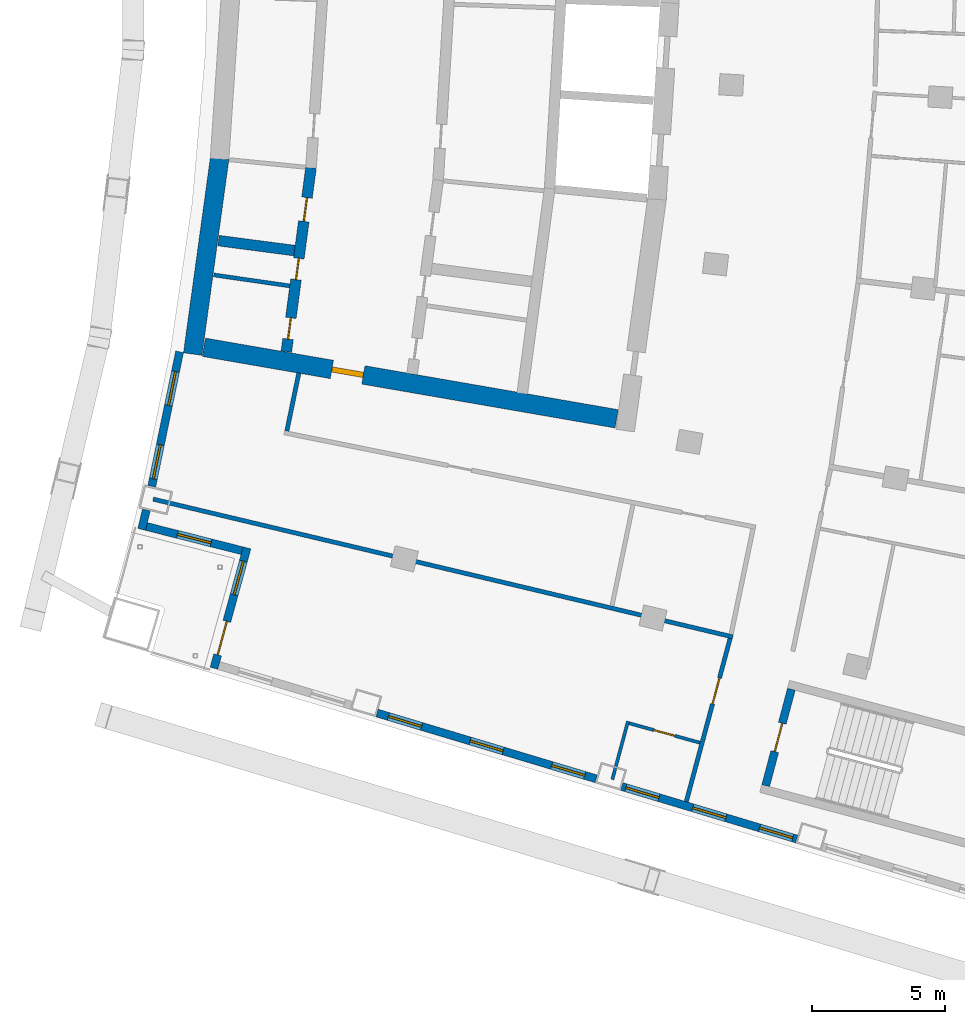
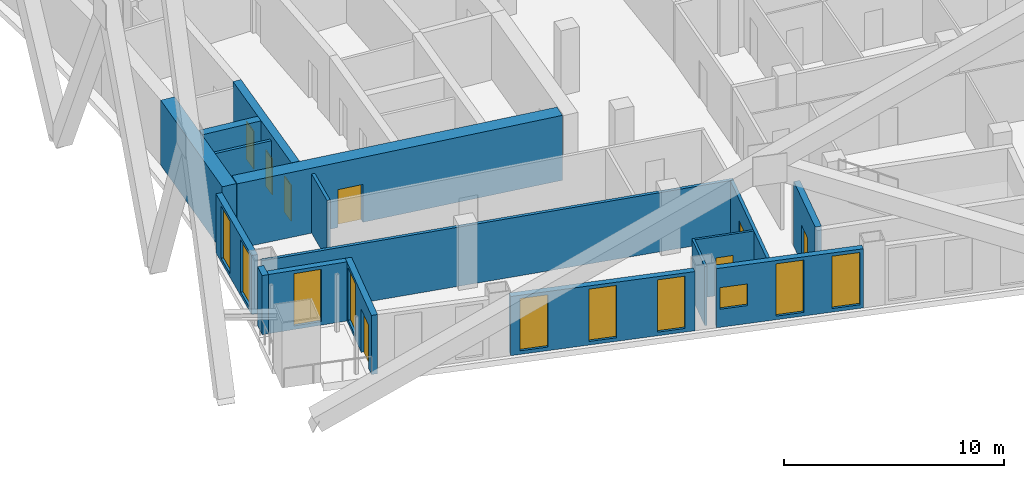
# One storey, part 11 of 22: 17 walls, 10 windows, 8 doors, 18 openings.
"""IFC4 building model written with IfcOpenShell, lengths in metres."""

from ifc_helpers import new_model, si_unit, direction, frame, frame_2d, origin, place, context, subcontext, project, spatial, rectangle, extrude, material, layer, layer_set, type_object, element, fill, save


model = new_model("IFC4")

# Units and contexts
model_context = context("Model", 3, precision=1e-05, world=origin(), true_north=direction((0.0, 1.0)))
body_context = subcontext(model_context, "Body", "Model", "MODEL_VIEW")
ifc_project = project(units=[si_unit("LENGTHUNIT", "METRE"), si_unit("AREAUNIT", "SQUARE_METRE"), si_unit("VOLUMEUNIT", "CUBIC_METRE"), si_unit("PLANEANGLEUNIT", "RADIAN"), si_unit("MASSUNIT", "GRAM", prefix="KILO")], contexts=[model_context])

# Site, building, storey
site_placement = place(None, origin())
site = spatial("IfcSite", under=ifc_project, at=site_placement, CompositionType="ELEMENT")
building_placement = place(site_placement, origin())
building = spatial("IfcBuilding", under=site, at=building_placement, Name="Alderwake Tower", CompositionType="ELEMENT")
storey_placement = place(building_placement, frame((0.0, 0.0, 160.39990234375)))
storey = spatial("IfcBuildingStorey", under=building, at=storey_placement, Name="L39", CompositionType="ELEMENT", Elevation=160.39990234375)

# Walls
ifc_material_1 = material(Name="Gypsum shaft wall system, rated")
ifc_layer_1 = layer(ifc_material_1, 0.14990234375)
ifc_layer_set_1 = layer_set([ifc_layer_1], Name="Core room partition 150")
wall_type_1 = type_object("IfcWallType", Name="Core room partition 150", PredefinedType="PARTITIONING", material=ifc_layer_set_1)
wall_1_placement = place(storey_placement, frame((16.16357421875, 47.110595703125, 0.0), z_axis=(0.0, 0.0, 1.0), x_axis=(0.989731551655, -0.142938642984, 0.0)))
element("IfcWall", 1, at=wall_1_placement, inside=storey, type_object=wall_type_1, Name="CW/L39/PR-150_+0", PredefinedType="PARTITIONING", context=body_context, shape_type="SweptSolid", body=[
    extrude(rectangle(XDim=2.883056640625, YDim=0.14990234375, at=frame_2d((1.44140625, 0.0))), origin(), (0.0, 0.0, 1.0), 3.280029296875),
])
ifc_material_2 = material(Name="Concrete C70/85", Category="concrete")
ifc_layer_2 = layer(ifc_material_2, 0.699951171875)
ifc_layer_set_2 = layer_set([ifc_layer_2], Name="Core wall outer 700 C70-85")
wall_type_2 = type_object("IfcWallType", Name="Core wall outer 700 C70-85", PredefinedType="SHEAR", material=ifc_layer_set_2)
wall_2_placement = place(storey_placement, frame((15.370849609375, 44.1376953125, 0.0), z_axis=(0.0, 0.0, 1.0), x_axis=(0.136315619812, 0.99066545907, 0.0)))
element("IfcWall", 2, at=wall_2_placement, inside=storey, type_object=wall_type_2, Name="Core wall CW.042", PredefinedType="SHEAR", context=body_context, shape_type="SweptSolid", body=[
    extrude(rectangle(XDim=7.420166015625, YDim=0.699951171875, at=frame_2d((3.7099609375, 0.0))), origin(), (0.0, 0.0, 1.0), 3.60009765625),
])

# Wall, opening, door
wall_3_placement = place(storey_placement, frame((31.295654296875, 41.705810546875, 0.0), z_axis=(0.0, 0.0, 1.0), x_axis=(-0.985302589944, 0.170818050129, 0.0)))
wall_3 = element("IfcWall", 3, at=wall_3_placement, inside=storey, type_object=wall_type_2, Name="Core wall CW.072", PredefinedType="SHEAR", context=body_context, shape_type="SweptSolid", body=[
    extrude(rectangle(XDim=15.7373046875, YDim=0.699951171875, at=frame_2d((7.86865234375, 0.0))), origin(), (0.0, 0.0, 1.0), 3.60009765625),
])
opening_1_placement = place(wall_3_placement, frame((9.65576171875, 0.0, 0.0)))
opening_1 = element("IfcOpeningElement", 4, at=opening_1_placement, cuts=wall_3, Name="Opening C003", PredefinedType="OPENING", context=body_context, shape_type="SweptSolid", body=[
    extrude(rectangle(XDim=1.199951171875, YDim=2.10009765625, at=frame_2d((0.60009765625, 1.050048828125))), frame((0.0, 0.35986328125, 0.0), z_axis=(0.0, -1.0, 0.0), x_axis=(1.0, 0.0, 0.0)), (0.0, 0.0, 1.0), 0.719970703125),
])
ifc_material_3 = material(Name="Steel-framed fire door leaf", Category="steel")
door_type_1 = type_object("IfcDoorType", Name="Core lobby exit door 1200 fire-rated", OperationType="SINGLE_SWING_LEFT", PredefinedType="DOOR", material=ifc_material_3)
door_1_placement = place(opening_1_placement, origin())
door_1 = element("IfcDoor", 5, at=door_1_placement, inside=storey, type_object=door_type_1, Name="Lobby door", OperationType="SINGLE_SWING_LEFT", OverallHeight=2.10009765625, OverallWidth=1.199951171875, PredefinedType="DOOR", context=body_context, shape_type="SweptSolid", body=[
    extrude(rectangle(XDim=1.199951171875, YDim=2.10009765625, at=frame_2d((0.60009765625, 1.050048828125))), frame((0.0, 0.10009765625, 0.0), z_axis=(0.0, -1.0, 0.0), x_axis=(1.0, 0.0, 0.0)), (0.0, 0.0, 1.0), 0.199951171875),
])
fill(opening_1, door_1)

# Wall, openings, doors
ifc_material_4 = material(Name="Concrete C70/85", Category="concrete")
ifc_layer_3 = layer(ifc_material_4, 0.39990234375)
ifc_layer_set_3 = layer_set([ifc_layer_3], Name="Core wall spine 400 C70-85")
wall_type_3 = type_object("IfcWallType", Name="Core wall spine 400 C70-85", PredefinedType="SHEAR", material=ifc_layer_set_3)
wall_4_placement = place(storey_placement, frame((19.814697265625, 51.143798828125, 0.0), z_axis=(0.0, 0.0, 1.0), x_axis=(-0.132864871698, -0.991134161387, 0.0)))
wall_4 = element("IfcWall", 6, at=wall_4_placement, inside=storey, type_object=wall_type_3, Name="Core wall CW.033", PredefinedType="SHEAR", context=body_context, shape_type="SweptSolid", body=[
    extrude(rectangle(XDim=6.978759765625, YDim=0.39990234375, at=frame_2d((3.4892578125, 0.0))), origin(), (0.0, 0.0, 1.0), 3.60009765625),
])
opening_2_placement = place(wall_4_placement, frame((5.69677734375, 0.0, 0.0)))
opening_2 = element("IfcOpeningElement", 7, at=opening_2_placement, cuts=wall_4, Name="Opening C008", PredefinedType="OPENING", context=body_context, shape_type="SweptSolid", body=[
    extrude(rectangle(XDim=0.800048828125, YDim=2.0, at=frame_2d((0.39990234375, 1.0))), frame((0.0, 0.2099609375, 0.0), z_axis=(0.0, -1.0, 0.0), x_axis=(1.0, 0.0, 0.0)), (0.0, 0.0, 1.0), 0.419921875),
])
opening_3_placement = place(wall_4_placement, frame((3.443115234375, 0.0, 0.0)))
opening_3 = element("IfcOpeningElement", 8, at=opening_3_placement, cuts=wall_4, Name="Opening C012", PredefinedType="OPENING", context=body_context, shape_type="SweptSolid", body=[
    extrude(rectangle(XDim=0.800048828125, YDim=2.0, at=frame_2d((0.39990234375, 1.0))), frame((0.0, 0.2099609375, 0.0), z_axis=(0.0, -1.0, 0.0), x_axis=(1.0, 0.0, 0.0)), (0.0, 0.0, 1.0), 0.419921875),
])
opening_4_placement = place(wall_4_placement, frame((1.13916015625, 0.0, 0.0)))
opening_4 = element("IfcOpeningElement", 9, at=opening_4_placement, cuts=wall_4, Name="Opening C039", PredefinedType="OPENING", context=body_context, shape_type="SweptSolid", body=[
    extrude(rectangle(XDim=0.89990234375, YDim=2.10009765625, at=frame_2d((0.449951171875, 1.050048828125))), frame((0.0, 0.2099609375, 0.0), z_axis=(0.0, -1.0, 0.0), x_axis=(1.0, 0.0, 0.0)), (0.0, 0.0, 1.0), 0.419921875),
])
ifc_material_5 = material(Name="Painted steel leaf", Category="steel")
door_type_2 = type_object("IfcDoorType", Name="Core room door 900", OperationType="SINGLE_SWING_LEFT", PredefinedType="DOOR", material=ifc_material_5)
door_2_placement = place(opening_4_placement, origin())
door_2 = element("IfcDoor", 10, at=door_2_placement, inside=storey, type_object=door_type_2, Name="Room door", OperationType="SINGLE_SWING_LEFT", OverallHeight=2.10009765625, OverallWidth=0.89990234375, PredefinedType="DOOR", context=body_context, shape_type="SweptSolid", body=[
    extrude(rectangle(XDim=0.89990234375, YDim=2.10009765625, at=frame_2d((0.449951171875, 1.050048828125))), frame((0.0, 0.02490234375, 0.0), z_axis=(0.0, -1.0, 0.0), x_axis=(1.0, 0.0, 0.0)), (0.0, 0.0, 1.0), 0.050048828125),
])
fill(opening_4, door_2)
ifc_material_6 = material(Name="Painted steel leaf, rated", Category="steel")
door_type_3 = type_object("IfcDoorType", Name="Riser access door 800", OperationType="SINGLE_SWING_LEFT", PredefinedType="DOOR", material=ifc_material_6)
door_3_placement = place(opening_2_placement, origin())
door_3 = element("IfcDoor", 11, at=door_3_placement, inside=storey, type_object=door_type_3, Name="Riser access door", OperationType="SINGLE_SWING_LEFT", OverallHeight=2.0, OverallWidth=0.800048828125, PredefinedType="DOOR", context=body_context, shape_type="SweptSolid", body=[
    extrude(rectangle(XDim=0.800048828125, YDim=2.0, at=frame_2d((0.39990234375, 1.0))), frame((0.0, 0.02490234375, 0.0), z_axis=(0.0, -1.0, 0.0), x_axis=(1.0, 0.0, 0.0)), (0.0, 0.0, 1.0), 0.050048828125),
])
fill(opening_2, door_3)
door_4_placement = place(opening_3_placement, origin())
door_4 = element("IfcDoor", 12, at=door_4_placement, inside=storey, type_object=door_type_3, Name="Riser access door", OperationType="SINGLE_SWING_RIGHT", OverallHeight=2.0, OverallWidth=0.800048828125, PredefinedType="DOOR", context=body_context, shape_type="SweptSolid", body=[
    extrude(rectangle(XDim=0.800048828125, YDim=2.0, at=frame_2d((0.39990234375, 1.0))), frame((0.0, 0.02490234375, 0.0), z_axis=(0.0, -1.0, 0.0), x_axis=(1.0, 0.0, 0.0)), (0.0, 0.0, 1.0), 0.050048828125),
])
fill(opening_3, door_4)

# Wall
wall_5_placement = place(storey_placement, frame((16.3408203125, 48.3994140625, 0.0), z_axis=(0.0, 0.0, 1.0), x_axis=(0.991544987266, -0.129763393253, 0.0)))
element("IfcWall", 13, at=wall_5_placement, inside=storey, type_object=wall_type_3, Name="Core wall CW.067", PredefinedType="SHEAR", context=body_context, shape_type="SweptSolid", body=[
    extrude(rectangle(XDim=2.878662109375, YDim=0.39990234375, at=frame_2d((1.439453125, 0.0))), origin(), (0.0, 0.0, 1.0), 3.60009765625),
])

# Wall, opening, door
ifc_material_7 = material(Name="Concrete C70/85", Category="concrete")
ifc_layer_4 = layer(ifc_material_7, 0.300048828125)
ifc_layer_set_4 = layer_set([ifc_layer_4], Name="Core wall stair enclosure 300 C70-85")
wall_type_4 = type_object("IfcWallType", Name="Core wall stair enclosure 300 C70-85", PredefinedType="SHEAR", material=ifc_layer_set_4)
wall_6_placement = place(storey_placement, frame((36.89501953125, 27.923828125, 0.0), z_axis=(0.0, 0.0, 1.0), x_axis=(0.257350630826, 0.966318090907, 0.0)))
wall_6 = element("IfcWall", 14, at=wall_6_placement, inside=storey, type_object=wall_type_4, Name="Core wall CW.087", PredefinedType="SHEAR", context=body_context, shape_type="SweptSolid", body=[
    extrude(rectangle(XDim=3.75, YDim=0.300048828125, at=frame_2d((1.875, 0.0))), origin(), (0.0, 0.0, 1.0), 3.60009765625),
])
opening_5_placement = place(wall_6_placement, frame((1.324951171875, 0.0, 0.0)))
opening_5 = element("IfcOpeningElement", 15, at=opening_5_placement, cuts=wall_6, Name="Opening C065", PredefinedType="OPENING", context=body_context, shape_type="SweptSolid", body=[
    extrude(rectangle(XDim=1.10009765625, YDim=2.10009765625, at=frame_2d((0.550048828125, 1.050048828125))), frame((0.0, 0.159912109375, 0.0), z_axis=(0.0, -1.0, 0.0), x_axis=(1.0, 0.0, 0.0)), (0.0, 0.0, 1.0), 0.320068359375),
])
ifc_material_8 = material(Name="Steel-framed fire door leaf", Category="steel")
door_type_4 = type_object("IfcDoorType", Name="Core stair door 1100 fire-rated", OperationType="SINGLE_SWING_LEFT", PredefinedType="DOOR", material=ifc_material_8)
door_5_placement = place(opening_5_placement, origin())
door_5 = element("IfcDoor", 16, at=door_5_placement, inside=storey, type_object=door_type_4, Name="Stair door", OperationType="SINGLE_SWING_RIGHT", OverallHeight=2.10009765625, OverallWidth=1.10009765625, PredefinedType="DOOR", context=body_context, shape_type="SweptSolid", body=[
    extrude(rectangle(XDim=1.10009765625, YDim=2.10009765625, at=frame_2d((0.550048828125, 1.050048828125))), frame((0.0, 0.02490234375, 0.0), z_axis=(0.0, -1.0, 0.0), x_axis=(1.0, 0.0, 0.0)), (0.0, 0.0, 1.0), 0.050048828125),
])
fill(opening_5, door_5)

# Walls
ifc_material_9 = material(Name="Gypsum board on metal studs, rated")
ifc_layer_5 = layer(ifc_material_9, 0.159912109375)
ifc_layer_set_5 = layer_set([ifc_layer_5], Name="Corridor wall 160")
wall_type_5 = type_object("IfcWallType", Name="Corridor wall 160", PredefinedType="PARTITIONING", material=ifc_layer_set_5)
wall_7_placement = place(storey_placement, frame((13.884033203125, 38.68798828125, 0.0), z_axis=(0.0, 0.0, 1.0), x_axis=(0.972893462073, -0.231253781493, 0.0)))
element("IfcWall", 17, at=wall_7_placement, inside=storey, type_object=wall_type_5, Name="WL/L39/W10", PredefinedType="PARTITIONING", context=body_context, shape_type="SweptSolid", body=[
    extrude(rectangle(XDim=22.38037109375, YDim=0.159912109375, at=frame_2d((11.190185546875, 0.0))), origin(), (0.0, 0.0, 1.0), 3.280029296875),
])
wall_8_placement = place(storey_placement, frame((19.35888671875, 43.430908203125, 0.0), z_axis=(0.0, 0.0, 1.0), x_axis=(-0.202554916658, -0.979270905183, 0.0)))
element("IfcWall", 18, at=wall_8_placement, inside=storey, type_object=wall_type_5, Name="WL/L39/W13", PredefinedType="PARTITIONING", context=body_context, shape_type="SweptSolid", body=[
    extrude(rectangle(XDim=2.229736328125, YDim=0.159912109375, at=frame_2d((1.11474609375, 0.0))), origin(), (0.0, 0.0, 1.0), 3.280029296875),
])

# Wall, opening, door
wall_9_placement = place(storey_placement, frame((33.912109375, 27.321044921875, 0.0), z_axis=(0.0, 0.0, 1.0), x_axis=(0.259370874835, 0.965777794986, 0.0)))
wall_9 = element("IfcWall", 19, at=wall_9_placement, inside=storey, type_object=wall_type_5, Name="WL/L39/W16", PredefinedType="PARTITIONING", context=body_context, shape_type="SweptSolid", body=[
    extrude(rectangle(XDim=6.349853515625, YDim=0.159912109375, at=frame_2d((3.1748046875, 0.0))), origin(), (0.0, 0.0, 1.0), 3.280029296875),
])
opening_6_placement = place(wall_9_placement, frame((3.811279296875, 0.0, 0.0)))
opening_6 = element("IfcOpeningElement", 20, at=opening_6_placement, cuts=wall_9, Name="Opening R11-U09.1", PredefinedType="OPENING", context=body_context, shape_type="SweptSolid", body=[
    extrude(rectangle(XDim=1.0, YDim=2.10009765625, at=frame_2d((0.5, 1.050048828125))), frame((0.0, 0.08984375, 0.0), z_axis=(0.0, -1.0, 0.0), x_axis=(1.0, 0.0, 0.0)), (0.0, 0.0, 1.0), 0.179931640625),
])
ifc_material_10 = material(Name="Solid timber leaf in steel frame", Category="steel")
door_type_5 = type_object("IfcDoorType", Name="Flat entrance door 1000 fire-rated", OperationType="SINGLE_SWING_LEFT", PredefinedType="DOOR", material=ifc_material_10)
door_6_placement = place(opening_6_placement, origin())
door_6 = element("IfcDoor", 21, at=door_6_placement, inside=storey, type_object=door_type_5, Name="DR/L39/U09.1", OperationType="SINGLE_SWING_LEFT", OverallHeight=2.10009765625, OverallWidth=1.0, PredefinedType="DOOR", context=body_context, shape_type="SweptSolid", body=[
    extrude(rectangle(XDim=1.0, YDim=2.10009765625, at=frame_2d((0.5, 1.050048828125))), frame((0.0, 0.02490234375, 0.0), z_axis=(0.0, -1.0, 0.0), x_axis=(1.0, 0.0, 0.0)), (0.0, 0.0, 1.0), 0.050048828125),
])
fill(opening_6, door_6)

# Wall
ifc_material_11 = material(Name="Precast concrete C50/60 spandrel panel", Category="concrete")
ifc_layer_6 = layer(ifc_material_11, 0.300048828125)
ifc_layer_set_6 = layer_set([ifc_layer_6], Name="External wall EW1 Precast concrete C50/60 spandrel")
wall_type_6 = type_object("IfcWallType", Name="External wall EW1 Precast concrete C50/60 spandrel", PredefinedType="SOLIDWALL", material=ifc_layer_set_6)
wall_10_placement = place(storey_placement, frame((13.63134765625, 38.28271484375, 0.0), z_axis=(0.0, 0.0, 1.0), x_axis=(-0.238336947214, -0.971182526404, 0.0)))
element("IfcWall", 22, at=wall_10_placement, inside=storey, type_object=wall_type_6, Name="External wall 1", PredefinedType="SOLIDWALL", context=body_context, shape_type="SweptSolid", body=[
    extrude(rectangle(XDim=0.7529296875, YDim=0.300048828125, at=frame_2d((0.37646484375, 0.0))), origin(), (0.0, 0.0, 1.0), 3.280029296875),
])

# Wall, openings, windows
wall_11_placement = place(storey_placement, frame((14.878173828125, 44.223388671875, 0.0), z_axis=(0.0, 0.0, 1.0), x_axis=(-0.202754243564, -0.979229654737, 0.0)))
wall_11 = element("IfcWall", 23, at=wall_11_placement, inside=storey, type_object=wall_type_6, Name="External wall 32", PredefinedType="SOLIDWALL", context=body_context, shape_type="SweptSolid", body=[
    extrude(rectangle(XDim=5.15966796875, YDim=0.300048828125, at=frame_2d((2.579833984375, 0.0))), origin(), (0.0, 0.0, 1.0), 3.280029296875),
])
opening_7_placement = place(wall_11_placement, frame((0.75634765625, 0.0, 0.199951171875)))
opening_7 = element("IfcOpeningElement", 24, at=opening_7_placement, cuts=wall_11, Name="Opening W1", PredefinedType="OPENING", context=body_context, shape_type="SweptSolid", body=[
    extrude(rectangle(XDim=1.300048828125, YDim=2.89990234375, at=frame_2d((0.64990234375, 1.449951171875))), frame((0.0, 0.159912109375, 0.0), z_axis=(0.0, -1.0, 0.0), x_axis=(1.0, 0.0, 0.0)), (0.0, 0.0, 1.0), 0.320068359375),
])
opening_8_placement = place(wall_11_placement, frame((3.569091796875, 0.0, 0.199951171875)))
opening_8 = element("IfcOpeningElement", 25, at=opening_8_placement, cuts=wall_11, Name="Opening W1", PredefinedType="OPENING", context=body_context, shape_type="SweptSolid", body=[
    extrude(rectangle(XDim=1.300048828125, YDim=2.89990234375, at=frame_2d((0.64990234375, 1.449951171875))), frame((0.0, 0.159912109375, 0.0), z_axis=(0.0, -1.0, 0.0), x_axis=(1.0, 0.0, 0.0)), (0.0, 0.0, 1.0), 0.320068359375),
])
ifc_material_12 = material(Name="Bronze tinted glass in aluminium frame", Category="aluminium")
window_type_1 = type_object("IfcWindowType", Name="Window W1 tall fixed and vent", PartitioningType="DOUBLE_PANEL_VERTICAL", PredefinedType="WINDOW", material=ifc_material_12)
window_1_placement = place(opening_7_placement, origin())
window_1 = element("IfcWindow", 26, at=window_1_placement, inside=storey, type_object=window_type_1, Name="Window W1 tall fixed and vent", OverallHeight=2.89990234375, OverallWidth=1.300048828125, PartitioningType="DOUBLE_PANEL_VERTICAL", PredefinedType="WINDOW", context=body_context, shape_type="SweptSolid", body=[
    extrude(rectangle(XDim=1.300048828125, YDim=2.89990234375, at=frame_2d((0.64990234375, 1.449951171875))), frame((0.0, 0.030029296875, 0.0), z_axis=(0.0, -1.0, 0.0), x_axis=(1.0, 0.0, 0.0)), (0.0, 0.0, 1.0), 0.06005859375),
])
fill(opening_7, window_1)
window_2_placement = place(opening_8_placement, origin())
window_2 = element("IfcWindow", 27, at=window_2_placement, inside=storey, type_object=window_type_1, Name="Window W1 tall fixed and vent", OverallHeight=2.89990234375, OverallWidth=1.300048828125, PartitioningType="DOUBLE_PANEL_VERTICAL", PredefinedType="WINDOW", context=body_context, shape_type="SweptSolid", body=[
    extrude(rectangle(XDim=1.300048828125, YDim=2.89990234375, at=frame_2d((0.64990234375, 1.449951171875))), frame((0.0, 0.030029296875, 0.0), z_axis=(0.0, -1.0, 0.0), x_axis=(1.0, 0.0, 0.0)), (0.0, 0.0, 1.0), 0.06005859375),
])
fill(opening_8, window_2)

# Wall, opening, window
ifc_material_13 = material(Name="Bronze metal cladding on lightweight framing")
ifc_layer_7 = layer(ifc_material_13, 0.300048828125)
ifc_layer_set_7 = layer_set([ifc_layer_7], Name="External wall EW2 bronze metal cladding")
wall_type_7 = type_object("IfcWallType", Name="External wall EW2 bronze metal cladding", PredefinedType="SOLIDWALL", material=ifc_layer_set_7)
wall_12_placement = place(storey_placement, frame((13.633056640625, 37.660400390625, 0.0), z_axis=(0.0, 0.0, 1.0), x_axis=(0.969417366605, -0.245417948254, 0.0)))
wall_12 = element("IfcWall", 28, at=wall_12_placement, inside=storey, type_object=wall_type_7, Name="External wall 2", PredefinedType="SOLIDWALL", context=body_context, shape_type="SweptSolid", body=[
    extrude(rectangle(XDim=3.70556640625, YDim=0.300048828125, at=frame_2d((1.852783203125, 0.0))), origin(), (0.0, 0.0, 1.0), 3.280029296875),
])
opening_9_placement = place(wall_12_placement, frame((1.202880859375, 0.0, 0.199951171875)))
opening_9 = element("IfcOpeningElement", 29, at=opening_9_placement, cuts=wall_12, Name="Opening W1", PredefinedType="OPENING", context=body_context, shape_type="SweptSolid", body=[
    extrude(rectangle(XDim=1.300048828125, YDim=2.89990234375, at=frame_2d((0.64990234375, 1.449951171875))), frame((0.0, 0.159912109375, 0.0), z_axis=(0.0, -1.0, 0.0), x_axis=(1.0, 0.0, 0.0)), (0.0, 0.0, 1.0), 0.320068359375),
])
window_3_placement = place(opening_9_placement, origin())
window_3 = element("IfcWindow", 30, at=window_3_placement, inside=storey, type_object=window_type_1, Name="Window W1 tall fixed and vent", OverallHeight=2.89990234375, OverallWidth=1.300048828125, PartitioningType="DOUBLE_PANEL_VERTICAL", PredefinedType="WINDOW", context=body_context, shape_type="SweptSolid", body=[
    extrude(rectangle(XDim=1.300048828125, YDim=2.89990234375, at=frame_2d((0.64990234375, 1.449951171875))), frame((0.0, 0.030029296875, 0.0), z_axis=(0.0, -1.0, 0.0), x_axis=(1.0, 0.0, 0.0)), (0.0, 0.0, 1.0), 0.06005859375),
])
fill(opening_9, window_3)

# Wall, openings, door, window
wall_13_placement = place(storey_placement, frame((17.410400390625, 36.85888671875, 0.0), z_axis=(0.0, 0.0, 1.0), x_axis=(-0.264592640785, -0.96436027212, 0.0)))
wall_13 = element("IfcWall", 31, at=wall_13_placement, inside=storey, type_object=wall_type_7, Name="External wall 3", PredefinedType="SOLIDWALL", context=body_context, shape_type="SweptSolid", body=[
    extrude(rectangle(XDim=4.690185546875, YDim=0.300048828125, at=frame_2d((2.34521484375, 0.0))), origin(), (0.0, 0.0, 1.0), 3.280029296875),
])
opening_10_placement = place(wall_13_placement, frame((0.5224609375, 0.0, 0.199951171875)))
opening_10 = element("IfcOpeningElement", 32, at=opening_10_placement, cuts=wall_13, Name="Opening W1", PredefinedType="OPENING", context=body_context, shape_type="SweptSolid", body=[
    extrude(rectangle(XDim=1.300048828125, YDim=2.89990234375, at=frame_2d((0.64990234375, 1.449951171875))), frame((0.0, 0.159912109375, 0.0), z_axis=(0.0, -1.0, 0.0), x_axis=(1.0, 0.0, 0.0)), (0.0, 0.0, 1.0), 0.320068359375),
])
opening_11_placement = place(wall_13_placement, frame((2.867431640625, 0.0, 0.0)))
opening_11 = element("IfcOpeningElement", 33, at=opening_11_placement, cuts=wall_13, Name="Opening D01", PredefinedType="OPENING", context=body_context, shape_type="SweptSolid", body=[
    extrude(rectangle(XDim=1.300048828125, YDim=2.39990234375, at=frame_2d((0.64990234375, 1.199951171875))), frame((0.0, 0.159912109375, 0.0), z_axis=(0.0, -1.0, 0.0), x_axis=(1.0, 0.0, 0.0)), (0.0, 0.0, 1.0), 0.320068359375),
])
ifc_material_14 = material(Name="Bronze tinted glass in aluminium frame", Category="aluminium")
door_type_6 = type_object("IfcDoorType", Name="Balcony door BD sliding", OperationType="SLIDING_TO_LEFT", PredefinedType="DOOR", material=ifc_material_14)
door_7_placement = place(opening_11_placement, origin())
door_7 = element("IfcDoor", 34, at=door_7_placement, inside=storey, type_object=door_type_6, Name="Door D01", OperationType="SLIDING_TO_LEFT", OverallHeight=2.39990234375, OverallWidth=1.300048828125, PredefinedType="DOOR", context=body_context, shape_type="SweptSolid", body=[
    extrude(rectangle(XDim=1.300048828125, YDim=2.39990234375, at=frame_2d((0.64990234375, 1.199951171875))), frame((0.0, 0.02490234375, 0.0), z_axis=(0.0, -1.0, 0.0), x_axis=(1.0, 0.0, 0.0)), (0.0, 0.0, 1.0), 0.050048828125),
])
fill(opening_11, door_7)
window_4_placement = place(opening_10_placement, origin())
window_4 = element("IfcWindow", 35, at=window_4_placement, inside=storey, type_object=window_type_1, Name="Window W1 tall fixed and vent", OverallHeight=2.89990234375, OverallWidth=1.300048828125, PartitioningType="DOUBLE_PANEL_VERTICAL", PredefinedType="WINDOW", context=body_context, shape_type="SweptSolid", body=[
    extrude(rectangle(XDim=1.300048828125, YDim=2.89990234375, at=frame_2d((0.64990234375, 1.449951171875))), frame((0.0, 0.030029296875, 0.0), z_axis=(0.0, -1.0, 0.0), x_axis=(1.0, 0.0, 0.0)), (0.0, 0.0, 1.0), 0.06005859375),
])
fill(opening_10, window_4)

# Wall, openings, windows
wall_14_placement = place(storey_placement, frame((22.294677734375, 30.653564453125, 0.0), z_axis=(0.0, 0.0, 1.0), x_axis=(0.957768419769, -0.287540699891, 0.0)))
wall_14 = element("IfcWall", 36, at=wall_14_placement, inside=storey, type_object=wall_type_7, Name="External wall 5", PredefinedType="SOLIDWALL", context=body_context, shape_type="SweptSolid", body=[
    extrude(rectangle(XDim=8.595947265625, YDim=0.300048828125, at=frame_2d((4.2978515625, 0.0))), origin(), (0.0, 0.0, 1.0), 3.280029296875),
])
opening_12_placement = place(wall_14_placement, frame((0.44775390625, 0.0, 0.199951171875)))
opening_12 = element("IfcOpeningElement", 37, at=opening_12_placement, cuts=wall_14, Name="Opening W1", PredefinedType="OPENING", context=body_context, shape_type="SweptSolid", body=[
    extrude(rectangle(XDim=1.300048828125, YDim=2.89990234375, at=frame_2d((0.64990234375, 1.449951171875))), frame((0.0, 0.159912109375, 0.0), z_axis=(0.0, -1.0, 0.0), x_axis=(1.0, 0.0, 0.0)), (0.0, 0.0, 1.0), 0.320068359375),
])
opening_13_placement = place(wall_14_placement, frame((3.647705078125, 0.0, 0.199951171875)))
opening_13 = element("IfcOpeningElement", 38, at=opening_13_placement, cuts=wall_14, Name="Opening W1", PredefinedType="OPENING", context=body_context, shape_type="SweptSolid", body=[
    extrude(rectangle(XDim=1.300048828125, YDim=2.89990234375, at=frame_2d((0.64990234375, 1.449951171875))), frame((0.0, 0.159912109375, 0.0), z_axis=(0.0, -1.0, 0.0), x_axis=(1.0, 0.0, 0.0)), (0.0, 0.0, 1.0), 0.320068359375),
])
opening_14_placement = place(wall_14_placement, frame((6.847900390625, 0.0, 0.199951171875)))
opening_14 = element("IfcOpeningElement", 39, at=opening_14_placement, cuts=wall_14, Name="Opening W1", PredefinedType="OPENING", context=body_context, shape_type="SweptSolid", body=[
    extrude(rectangle(XDim=1.300048828125, YDim=2.89990234375, at=frame_2d((0.64990234375, 1.449951171875))), frame((0.0, 0.159912109375, 0.0), z_axis=(0.0, -1.0, 0.0), x_axis=(1.0, 0.0, 0.0)), (0.0, 0.0, 1.0), 0.320068359375),
])
window_5_placement = place(opening_12_placement, origin())
window_5 = element("IfcWindow", 40, at=window_5_placement, inside=storey, type_object=window_type_1, Name="Window W1 tall fixed and vent", OverallHeight=2.89990234375, OverallWidth=1.300048828125, PartitioningType="DOUBLE_PANEL_VERTICAL", PredefinedType="WINDOW", context=body_context, shape_type="SweptSolid", body=[
    extrude(rectangle(XDim=1.300048828125, YDim=2.89990234375, at=frame_2d((0.64990234375, 1.449951171875))), frame((0.0, 0.030029296875, 0.0), z_axis=(0.0, -1.0, 0.0), x_axis=(1.0, 0.0, 0.0)), (0.0, 0.0, 1.0), 0.06005859375),
])
fill(opening_12, window_5)
window_6_placement = place(opening_13_placement, origin())
window_6 = element("IfcWindow", 41, at=window_6_placement, inside=storey, type_object=window_type_1, Name="Window W1 tall fixed and vent", OverallHeight=2.89990234375, OverallWidth=1.300048828125, PartitioningType="DOUBLE_PANEL_VERTICAL", PredefinedType="WINDOW", context=body_context, shape_type="SweptSolid", body=[
    extrude(rectangle(XDim=1.300048828125, YDim=2.89990234375, at=frame_2d((0.64990234375, 1.449951171875))), frame((0.0, 0.030029296875, 0.0), z_axis=(0.0, -1.0, 0.0), x_axis=(1.0, 0.0, 0.0)), (0.0, 0.0, 1.0), 0.06005859375),
])
fill(opening_13, window_6)
window_7_placement = place(opening_14_placement, origin())
window_7 = element("IfcWindow", 42, at=window_7_placement, inside=storey, type_object=window_type_1, Name="Window W1 tall fixed and vent", OverallHeight=2.89990234375, OverallWidth=1.300048828125, PartitioningType="DOUBLE_PANEL_VERTICAL", PredefinedType="WINDOW", context=body_context, shape_type="SweptSolid", body=[
    extrude(rectangle(XDim=1.300048828125, YDim=2.89990234375, at=frame_2d((0.64990234375, 1.449951171875))), frame((0.0, 0.030029296875, 0.0), z_axis=(0.0, -1.0, 0.0), x_axis=(1.0, 0.0, 0.0)), (0.0, 0.0, 1.0), 0.06005859375),
])
fill(opening_14, window_7)

wall_15_placement = place(storey_placement, frame((31.4892578125, 27.89306640625, 0.0), z_axis=(0.0, 0.0, 1.0), x_axis=(0.957776335697, -0.287514331431, 0.0)))
wall_15 = element("IfcWall", 43, at=wall_15_placement, inside=storey, type_object=wall_type_7, Name="External wall 6", PredefinedType="SOLIDWALL", context=body_context, shape_type="SweptSolid", body=[
    extrude(rectangle(XDim=6.86279296875, YDim=0.300048828125, at=frame_2d((3.431396484375, 0.0))), origin(), (0.0, 0.0, 1.0), 3.280029296875),
])
opening_15_placement = place(wall_15_placement, frame((0.1591796875, 0.0, 1.0)))
opening_15 = element("IfcOpeningElement", 44, at=opening_15_placement, cuts=wall_15, Name="Opening W2", PredefinedType="OPENING", context=body_context, shape_type="SweptSolid", body=[
    extrude(rectangle(XDim=1.300048828125, YDim=1.199951171875, at=frame_2d((0.64990234375, 0.60009765625))), frame((0.0, 0.159912109375, 0.0), z_axis=(0.0, -1.0, 0.0), x_axis=(1.0, 0.0, 0.0)), (0.0, 0.0, 1.0), 0.320068359375),
])
opening_16_placement = place(wall_15_placement, frame((2.78125, 0.0, 0.199951171875)))
opening_16 = element("IfcOpeningElement", 45, at=opening_16_placement, cuts=wall_15, Name="Opening W1", PredefinedType="OPENING", context=body_context, shape_type="SweptSolid", body=[
    extrude(rectangle(XDim=1.300048828125, YDim=2.89990234375, at=frame_2d((0.64990234375, 1.449951171875))), frame((0.0, 0.159912109375, 0.0), z_axis=(0.0, -1.0, 0.0), x_axis=(1.0, 0.0, 0.0)), (0.0, 0.0, 1.0), 0.320068359375),
])
opening_17_placement = place(wall_15_placement, frame((5.403564453125, 0.0, 0.199951171875)))
opening_17 = element("IfcOpeningElement", 46, at=opening_17_placement, cuts=wall_15, Name="Opening W1", PredefinedType="OPENING", context=body_context, shape_type="SweptSolid", body=[
    extrude(rectangle(XDim=1.300048828125, YDim=2.89990234375, at=frame_2d((0.64990234375, 1.449951171875))), frame((0.0, 0.159912109375, 0.0), z_axis=(0.0, -1.0, 0.0), x_axis=(1.0, 0.0, 0.0)), (0.0, 0.0, 1.0), 0.320068359375),
])
window_8_placement = place(opening_16_placement, origin())
window_8 = element("IfcWindow", 47, at=window_8_placement, inside=storey, type_object=window_type_1, Name="Window W1 tall fixed and vent", OverallHeight=2.89990234375, OverallWidth=1.300048828125, PartitioningType="DOUBLE_PANEL_VERTICAL", PredefinedType="WINDOW", context=body_context, shape_type="SweptSolid", body=[
    extrude(rectangle(XDim=1.300048828125, YDim=2.89990234375, at=frame_2d((0.64990234375, 1.449951171875))), frame((0.0, 0.030029296875, 0.0), z_axis=(0.0, -1.0, 0.0), x_axis=(1.0, 0.0, 0.0)), (0.0, 0.0, 1.0), 0.06005859375),
])
fill(opening_16, window_8)
window_9_placement = place(opening_17_placement, origin())
window_9 = element("IfcWindow", 48, at=window_9_placement, inside=storey, type_object=window_type_1, Name="Window W1 tall fixed and vent", OverallHeight=2.89990234375, OverallWidth=1.300048828125, PartitioningType="DOUBLE_PANEL_VERTICAL", PredefinedType="WINDOW", context=body_context, shape_type="SweptSolid", body=[
    extrude(rectangle(XDim=1.300048828125, YDim=2.89990234375, at=frame_2d((0.64990234375, 1.449951171875))), frame((0.0, 0.030029296875, 0.0), z_axis=(0.0, -1.0, 0.0), x_axis=(1.0, 0.0, 0.0)), (0.0, 0.0, 1.0), 0.06005859375),
])
fill(opening_17, window_9)
ifc_material_15 = material(Name="Bronze tinted glass in aluminium frame", Category="aluminium")
window_type_2 = type_object("IfcWindowType", Name="Window W2 kitchen and bath", PartitioningType="SINGLE_PANEL", PredefinedType="WINDOW", material=ifc_material_15)
window_10_placement = place(opening_15_placement, origin())
window_10 = element("IfcWindow", 49, at=window_10_placement, inside=storey, type_object=window_type_2, Name="Window W2 kitchen and bath", OverallHeight=1.199951171875, OverallWidth=1.300048828125, PartitioningType="SINGLE_PANEL", PredefinedType="WINDOW", context=body_context, shape_type="SweptSolid", body=[
    extrude(rectangle(XDim=1.300048828125, YDim=1.199951171875, at=frame_2d((0.64990234375, 0.60009765625))), frame((0.0, 0.030029296875, 0.0), z_axis=(0.0, -1.0, 0.0), x_axis=(1.0, 0.0, 0.0)), (0.0, 0.0, 1.0), 0.06005859375),
])
fill(opening_15, window_10)

# Wall
ifc_material_16 = material(Name="Moisture resistant gypsum board on metal studs")
ifc_layer_8 = layer(ifc_material_16, 0.1201171875)
ifc_layer_set_8 = layer_set([ifc_layer_8], Name="Wet room partition 120")
wall_type_8 = type_object("IfcWallType", Name="Wet room partition 120", PredefinedType="PARTITIONING", material=ifc_layer_set_8)
wall_16_placement = place(storey_placement, frame((31.72265625, 30.343017578125, 0.0), z_axis=(0.0, 0.0, 1.0), x_axis=(-0.259787988076, -0.965665677785, 0.0)))
element("IfcWall", 50, at=wall_16_placement, inside=storey, type_object=wall_type_8, Name="WL/L39/W30", PredefinedType="PARTITIONING", context=body_context, shape_type="SweptSolid", body=[
    extrude(rectangle(XDim=2.265869140625, YDim=0.1201171875, at=frame_2d((1.1328125, 0.0))), origin(), (0.0, 0.0, 1.0), 3.280029296875),
])

# Wall, opening, door
wall_17_placement = place(storey_placement, frame((34.42578125, 29.5380859375, 0.0), z_axis=(0.0, 0.0, 1.0), x_axis=(-0.964278304966, 0.264891205163, 0.0)))
wall_17 = element("IfcWall", 51, at=wall_17_placement, inside=storey, type_object=wall_type_8, Name="WL/L39/W32", PredefinedType="PARTITIONING", context=body_context, shape_type="SweptSolid", body=[
    extrude(rectangle(XDim=2.759521484375, YDim=0.1201171875, at=frame_2d((1.3798828125, 0.0))), origin(), (0.0, 0.0, 1.0), 3.280029296875),
])
opening_18_placement = place(wall_17_placement, frame((0.979736328125, 0.0, 0.0)))
opening_18 = element("IfcOpeningElement", 52, at=opening_18_placement, cuts=wall_17, Name="Opening R11-U09.2", PredefinedType="OPENING", context=body_context, shape_type="SweptSolid", body=[
    extrude(rectangle(XDim=0.800048828125, YDim=2.10009765625, at=frame_2d((0.39990234375, 1.050048828125))), frame((0.0, 0.070068359375, 0.0), z_axis=(0.0, -1.0, 0.0), x_axis=(1.0, 0.0, 0.0)), (0.0, 0.0, 1.0), 0.14013671875),
])
ifc_material_17 = material(Name="Painted timber leaf", Category="wood")
door_type_7 = type_object("IfcDoorType", Name="Bathroom door 800", OperationType="SINGLE_SWING_LEFT", PredefinedType="DOOR", material=ifc_material_17)
door_8_placement = place(opening_18_placement, origin())
door_8 = element("IfcDoor", 53, at=door_8_placement, inside=storey, type_object=door_type_7, Name="DR/L39/U09.2", OperationType="SINGLE_SWING_LEFT", OverallHeight=2.10009765625, OverallWidth=0.800048828125, PredefinedType="DOOR", context=body_context, shape_type="SweptSolid", body=[
    extrude(rectangle(XDim=0.800048828125, YDim=2.10009765625, at=frame_2d((0.39990234375, 1.050048828125))), frame((0.0, 0.02490234375, 0.0), z_axis=(0.0, -1.0, 0.0), x_axis=(1.0, 0.0, 0.0)), (0.0, 0.0, 1.0), 0.050048828125),
])
fill(opening_18, door_8)

save(model, "model.ifc")
